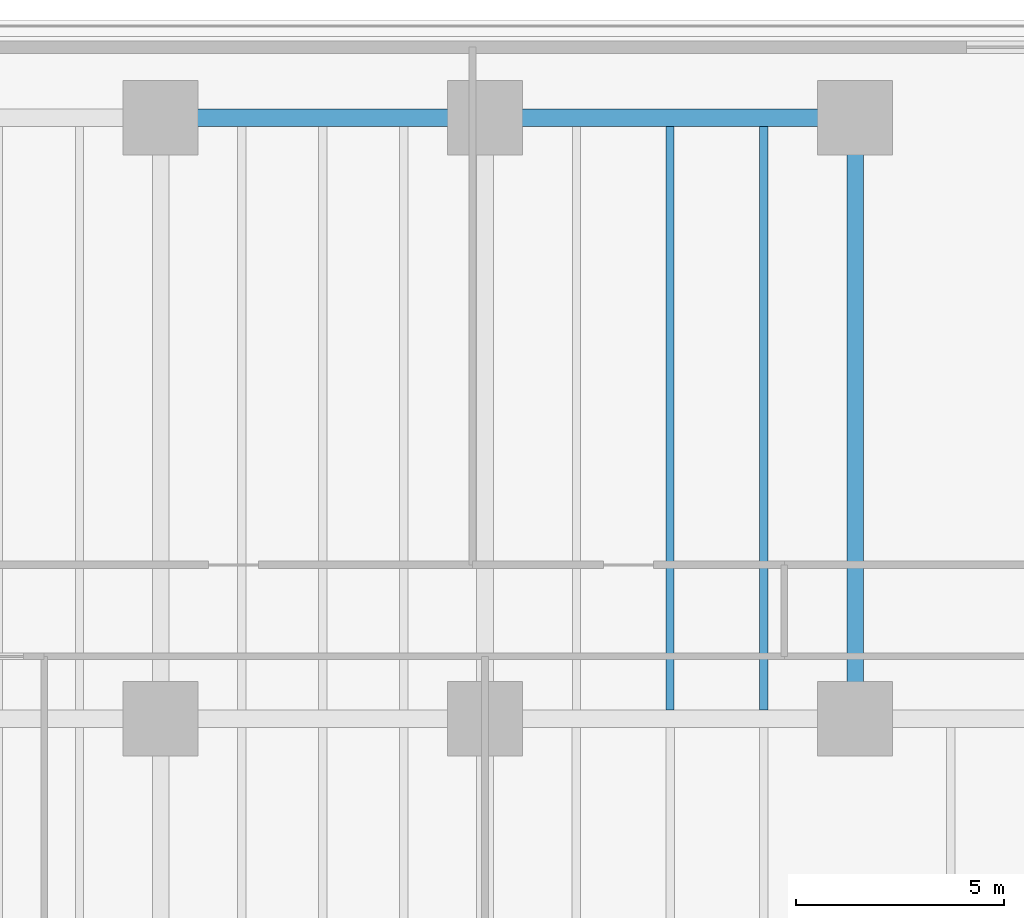
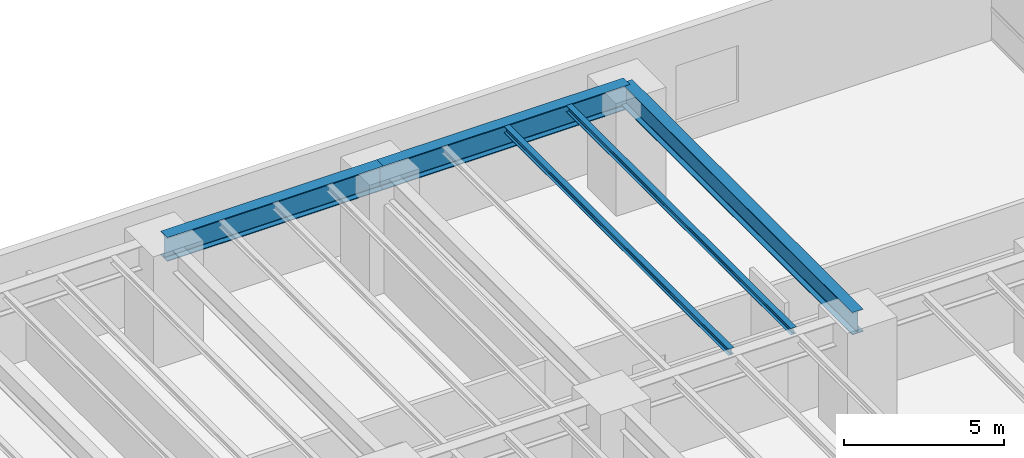
# One storey, part 6 of 26: 5 beams.
"""IFC4 building model written with IfcOpenShell, lengths in metres."""

import ifcopenshell
import ifcopenshell.guid

model = None  # the IFC model being written
_history = None  # IfcOwnerHistory: only IFC2X3 demands one
_inside = {}  # id of a spatial element -> (the spatial element, [elements in it])
_under = {}  # id of a project, library or spatial element -> (it, [spatial elements below it])
_declared = {}  # id of a project -> (the project, [libraries it declares])
_typed = {}  # id of a type object -> (the type object, [elements of that type])
_made_of = {}  # id of a material, layer set ... -> (it, [elements and type objects made of it])


def new_model(schema):
    """Start an empty IFC model of exactly this schema.

    Asked for "IFC4X3", IfcOpenShell would pick the latest addendum, in which some entities
    have other attributes; the version numbers below select the first issue.
    IFC2X3 requires an IfcOwnerHistory on every rooted entity: one is made here for all.
    """
    global model, _history
    if schema == "IFC4X3":
        model = ifcopenshell.file(schema_version=(4, 3, 0, 0))
    else:
        model = ifcopenshell.file(schema=schema)
    _inside.clear()
    _under.clear()
    _declared.clear()
    _typed.clear()
    _made_of.clear()
    _history = None
    if model.schema == "IFC2X3":
        org = make("IfcOrganization", Name="unknown")
        user = make(
            "IfcPersonAndOrganization",
            ThePerson=make("IfcPerson", FamilyName="unknown"),
            TheOrganization=org,
        )
        app = make(
            "IfcApplication",
            ApplicationDeveloper=org,
            Version="unknown",
            ApplicationFullName="unknown",
            ApplicationIdentifier="unknown",
        )
        _history = make(
            "IfcOwnerHistory",
            OwningUser=user,
            OwningApplication=app,
            ChangeAction="ADDED",
            CreationDate=0,
        )
    return model


def make(cls, **values):
    """One entity of the class cls with the attributes given. An attribute that is None is left unset."""
    return model.create_entity(
        cls, **{name: value for name, value in values.items() if value is not None}
    )


def rooted(cls, **values):
    """An entity with a GlobalId (a new one), such as an element, a storey or a relation."""
    return make(cls, GlobalId=ifcopenshell.guid.new(), OwnerHistory=_history, **values)


def si_unit(unit_type, name, prefix=None):
    """IfcSIUnit, for example si_unit("LENGTHUNIT", "METRE", prefix="MILLI")."""
    return make("IfcSIUnit", UnitType=unit_type, Prefix=prefix, Name=name)


def assignment(units):
    """IfcUnitAssignment: the units of a project."""
    return None if units is None else make("IfcUnitAssignment", Units=units)


def point(xyz):
    """IfcCartesianPoint."""
    return None if xyz is None else make("IfcCartesianPoint", Coordinates=xyz)


def direction(xyz):
    """IfcDirection."""
    return None if xyz is None else make("IfcDirection", DirectionRatios=xyz)


def frame(location, z_axis=None, x_axis=None):
    """IfcAxis2Placement3D, a coordinate frame: its origin and axes. An axis left out is left unset."""
    return make(
        "IfcAxis2Placement3D",
        Location=point(location),
        Axis=direction(z_axis),
        RefDirection=direction(x_axis),
    )


def frame_2d(location, x_axis=None):
    """IfcAxis2Placement2D, a coordinate frame in the plane: its origin and x axis."""
    return make(
        "IfcAxis2Placement2D", Location=point(location), RefDirection=direction(x_axis)
    )


def origin():
    """The frame at (0, 0, 0) with its axes left unset."""
    return frame((0.0, 0.0, 0.0))


def origin_2d():
    """The frame at (0, 0) in the plane with its x axis left unset."""
    return frame_2d((0.0, 0.0))


def place(relative_to, where):
    """IfcLocalPlacement: puts the frame where relative to a parent placement (None: the world)."""
    return make(
        "IfcLocalPlacement", PlacementRelTo=relative_to, RelativePlacement=where
    )


def context(
    kind, dimensions, precision=None, world=None, true_north=None, identifier=None
):
    """IfcGeometricRepresentationContext, for example the 3D "Model" context."""
    return make(
        "IfcGeometricRepresentationContext",
        ContextIdentifier=identifier,
        ContextType=kind,
        CoordinateSpaceDimension=dimensions,
        Precision=precision,
        WorldCoordinateSystem=world,
        TrueNorth=true_north,
    )


def subcontext(parent, identifier, kind, view, scale=None):
    """IfcGeometricRepresentationSubContext, for example "Body" below "Model"."""
    return make(
        "IfcGeometricRepresentationSubContext",
        ContextIdentifier=identifier,
        ContextType=kind,
        ParentContext=parent,
        TargetScale=scale,
        TargetView=view,
    )


def project(units=None, contexts=None):
    """IfcProject with its units and contexts."""
    return rooted(
        "IfcProject",
        Name="project",
        RepresentationContexts=contexts,
        UnitsInContext=assignment(units),
    )


def spatial(cls, under=None, at=None, **own):
    """A site, building, storey or space (cls), placed at a placement, below another one or the project."""
    s = rooted(cls, ObjectPlacement=at, **own)
    if under is not None:
        _under.setdefault(under.id(), (under, []))[1].append(s)
    return s


def profile(cls, at=None, kind="AREA", **sizes):
    """A parametric profile (cls). Its sizes go by their IFC names, for example OverallWidth=200.0."""
    return make(cls, ProfileType=kind, Position=at, **sizes)


def i_section(**sizes):
    """IfcIShapeProfileDef."""
    return profile("IfcIShapeProfileDef", **sizes)


def extrude(swept, where, along, depth):
    """IfcExtrudedAreaSolid: the profile swept, set in the frame where, extruded along a direction by depth."""
    return make(
        "IfcExtrudedAreaSolid",
        SweptArea=swept,
        Position=where,
        ExtrudedDirection=direction(along),
        Depth=depth,
    )


def shape(context_of_items, identifier, shape_type, items):
    """IfcShapeRepresentation: the items that make up one representation, for example the "Body"."""
    return make(
        "IfcShapeRepresentation",
        ContextOfItems=context_of_items,
        RepresentationIdentifier=identifier,
        RepresentationType=shape_type,
        Items=items,
    )


def material(Name=None, Category=None):
    """IfcMaterial."""
    return make("IfcMaterial", Name=Name, Category=Category)


def material_profile(
    of_material, cross_section, Name=None, Category=None, Priority=None
):
    """IfcMaterialProfile: a cross section and its material."""
    return make(
        "IfcMaterialProfile",
        Name=Name,
        Material=of_material,
        Profile=cross_section,
        Priority=Priority,
        Category=Category,
    )


def profile_set(profiles, Name=None, composite=None):
    """IfcMaterialProfileSet."""
    return make(
        "IfcMaterialProfileSet",
        Name=Name,
        MaterialProfiles=profiles,
        CompositeProfile=composite,
    )


def made_of(thing, what):
    """Note that an element or type object is made of a material, layer set ...; save() writes the relation."""
    if what is not None:
        _made_of.setdefault(what.id(), (what, []))[1].append(thing)
    return thing


def type_object(cls, material=None, **own):
    """A type object (cls), such as IfcWallType, which elements share."""
    return made_of(rooted(cls, **own), material)


def element(
    cls,
    number,
    at=None,
    inside=None,
    cuts=None,
    type_object=None,
    material=None,
    context=None,
    identifier="Body",
    shape_type=None,
    held_by="IfcProductDefinitionShape",
    body=None,
    shapes=None,
    **own,
):
    """One element of the class cls, such as IfcWall. Its Tag is "e" and its number.

    at: its placement. inside: the storey or other place that contains it. cuts: it is an
    opening in that element (IfcRelVoidsElement). A single representation is given by context,
    identifier, shape_type and body (its items); several are given by shapes. held_by: the class
    of the entity that holds the representations. save() writes the other relations.
    """
    e = rooted(cls, Tag="e%d" % number, ObjectPlacement=at, **own)
    if body is not None:
        shapes = [shape(context, identifier, shape_type, body)]
    if shapes is not None:
        e.Representation = make(held_by, Representations=shapes)
    if inside is not None:
        _inside.setdefault(inside.id(), (inside, []))[1].append(e)
    if cuts is not None:
        rooted(
            "IfcRelVoidsElement", RelatingBuildingElement=cuts, RelatedOpeningElement=e
        )
    if type_object is not None:
        _typed.setdefault(type_object.id(), (type_object, []))[1].append(e)
    return made_of(e, material)


def aggregate(whole, parts):
    """IfcRelAggregates: a whole, such as a stair, and the parts it consists of."""
    return rooted("IfcRelAggregates", RelatingObject=whole, RelatedObjects=parts)


def save(model, path):
    """Write the relations noted so far, then the file.

    IfcRelAggregates (storeys below a building ...), IfcRelContainedInSpatialStructure (elements
    in a storey), IfcRelDefinesByType, IfcRelAssociatesMaterial and IfcRelDeclares: one each for
    every whole, place, type object, material and project.
    """
    for whole, parts in _under.values():
        aggregate(whole, parts)
    for where, things in _inside.values():
        rooted(
            "IfcRelContainedInSpatialStructure",
            RelatedElements=things,
            RelatingStructure=where,
        )
    for kind, things in _typed.values():
        rooted("IfcRelDefinesByType", RelatedObjects=things, RelatingType=kind)
    for what, things in _made_of.values():
        rooted("IfcRelAssociatesMaterial", RelatedObjects=things, RelatingMaterial=what)
    for by, libraries in _declared.values():
        rooted("IfcRelDeclares", RelatingContext=by, RelatedDefinitions=libraries)
    model.write(path)


model = new_model("IFC4")

# Units and contexts
model_context = context("Model", 3, precision=1e-05, world=origin(), true_north=direction((0.0, 1.0)))
body_context = subcontext(model_context, "Body", "Model", "MODEL_VIEW")
ifc_project = project(units=[si_unit("LENGTHUNIT", "METRE"), si_unit("AREAUNIT", "SQUARE_METRE"), si_unit("VOLUMEUNIT", "CUBIC_METRE"), si_unit("PLANEANGLEUNIT", "RADIAN"), si_unit("MASSUNIT", "GRAM", prefix="KILO")], contexts=[model_context])

# Site, building, storey
site_placement = place(None, origin())
site = spatial("IfcSite", under=ifc_project, at=site_placement, CompositionType="ELEMENT")
building_placement = place(site_placement, origin())
building = spatial("IfcBuilding", under=site, at=building_placement, Name="Qalmaran Belvedere Hotel", CompositionType="ELEMENT")
storey_placement = place(building_placement, frame((0.0, 0.0, 19.199951171875)))
storey = spatial("IfcBuildingStorey", under=building, at=storey_placement, Name="L04", CompositionType="ELEMENT", Elevation=19.199951171875)

# Beams
ifc_material = material(Name="Steel S355JR", Category="steel")
ifc_material_profile_1 = material_profile(ifc_material, i_section(OverallWidth=0.201904296875, OverallDepth=0.2470703125, WebThickness=0.00732421875, FlangeThickness=0.010986328125, FilletRadius=0.011962890625, at=origin_2d()), Name="W250X49")
ifc_profile_set_1 = profile_set([ifc_material_profile_1], Name="Steel S355JR")
beam_type_1 = type_object("IfcBeamType", Name="BM-JST-W250X49", PredefinedType="JOIST", material=ifc_profile_set_1)
for number, where, z_axis, x_axis, name in (
    (1, (49.25, 33.20703125, 4.176513671875), (0.0, 1.0, 0.0), (-1.0, 0.0, 0.0), "L04 Podium North-Ballroom Joist 064"),
    (2, (51.5, 33.20703125, 4.176513671875), (0.0, 1.0, 0.0), (-1.0, 0.0, 0.0), "L04 Podium North-Ballroom Joist 066"),
):
    element("IfcBeam", number, at=place(storey_placement, frame(where, z_axis=z_axis, x_axis=x_axis)), inside=storey, type_object=beam_type_1, Name=name, PredefinedType="JOIST", context=body_context, shape_type="SweptSolid", body=[
        extrude(i_section(OverallWidth=0.201904296875, OverallDepth=0.2470703125, WebThickness=0.00732421875, FlangeThickness=0.010986328125, FilletRadius=0.011962890625, at=origin_2d()), origin(), (0.0, 0.0, 1.0), 14.035888671875),
    ])
ifc_material_profile_2 = material_profile(ifc_material, i_section(OverallWidth=0.41796875, OverallDepth=0.912109375, WebThickness=0.019287109375, FlangeThickness=0.031982421875, FilletRadius=0.02392578125, at=origin_2d()), Name="W920X342")
ifc_profile_set_2 = profile_set([ifc_material_profile_2], Name="Steel S355JR")
beam_type_2 = type_object("IfcBeamType", Name="BM-PG2-W920X342", PredefinedType="USERDEFINED", material=ifc_profile_set_2)
beam_1_placement = place(storey_placement, frame((37.0, 47.449951171875, 3.843994140625), z_axis=(1.0, 0.0, 0.0), x_axis=(0.0, 1.0, 0.0)))
element("IfcBeam", 3, at=beam_1_placement, inside=storey, type_object=beam_type_2, Name="L04 Podium Primary Girder GX20", ObjectType="GIRDER", PredefinedType="USERDEFINED", context=body_context, shape_type="SweptSolid", body=[
    extrude(i_section(OverallWidth=0.41796875, OverallDepth=0.912109375, WebThickness=0.019287109375, FlangeThickness=0.031982421875, FilletRadius=0.02392578125, at=origin_2d()), origin(), (0.0, 0.0, 1.0), 7.800048828125),
])
beam_2_placement = place(storey_placement, frame((44.800048828125, 47.449951171875, 3.843994140625), z_axis=(1.0, 0.0, 0.0), x_axis=(0.0, 1.0, 0.0)))
element("IfcBeam", 4, at=beam_2_placement, inside=storey, type_object=beam_type_2, Name="L04 Podium Primary Girder GX21", ObjectType="GIRDER", PredefinedType="USERDEFINED", context=body_context, shape_type="SweptSolid", body=[
    extrude(i_section(OverallWidth=0.41796875, OverallDepth=0.912109375, WebThickness=0.019287109375, FlangeThickness=0.031982421875, FilletRadius=0.02392578125, at=origin_2d()), origin(), (0.0, 0.0, 1.0), 8.89990234375),
])
ifc_material_profile_3 = material_profile(ifc_material, i_section(OverallWidth=0.39990234375, OverallDepth=0.85498046875, WebThickness=0.018310546875, FlangeThickness=0.029296875, FilletRadius=0.02392578125, at=origin_2d()), Name="W840X299")
ifc_profile_set_3 = profile_set([ifc_material_profile_3], Name="Steel S355JR")
beam_type_3 = type_object("IfcBeamType", Name="BM-PG3-W840X299", PredefinedType="USERDEFINED", material=ifc_profile_set_3)
beam_3_placement = place(storey_placement, frame((53.699951171875, 33.0, 3.87255859375), z_axis=(0.0, 1.0, 0.0), x_axis=(-1.0, 0.0, 0.0)))
element("IfcBeam", 5, at=beam_3_placement, inside=storey, type_object=beam_type_3, Name="L04 Podium Transverse Girder GY38", ObjectType="GIRDER", PredefinedType="USERDEFINED", context=body_context, shape_type="SweptSolid", body=[
    extrude(i_section(OverallWidth=0.39990234375, OverallDepth=0.85498046875, WebThickness=0.018310546875, FlangeThickness=0.029296875, FilletRadius=0.02392578125, at=origin_2d()), origin(), (0.0, 0.0, 1.0), 14.449951171875),
])

save(model, "model.ifc")
